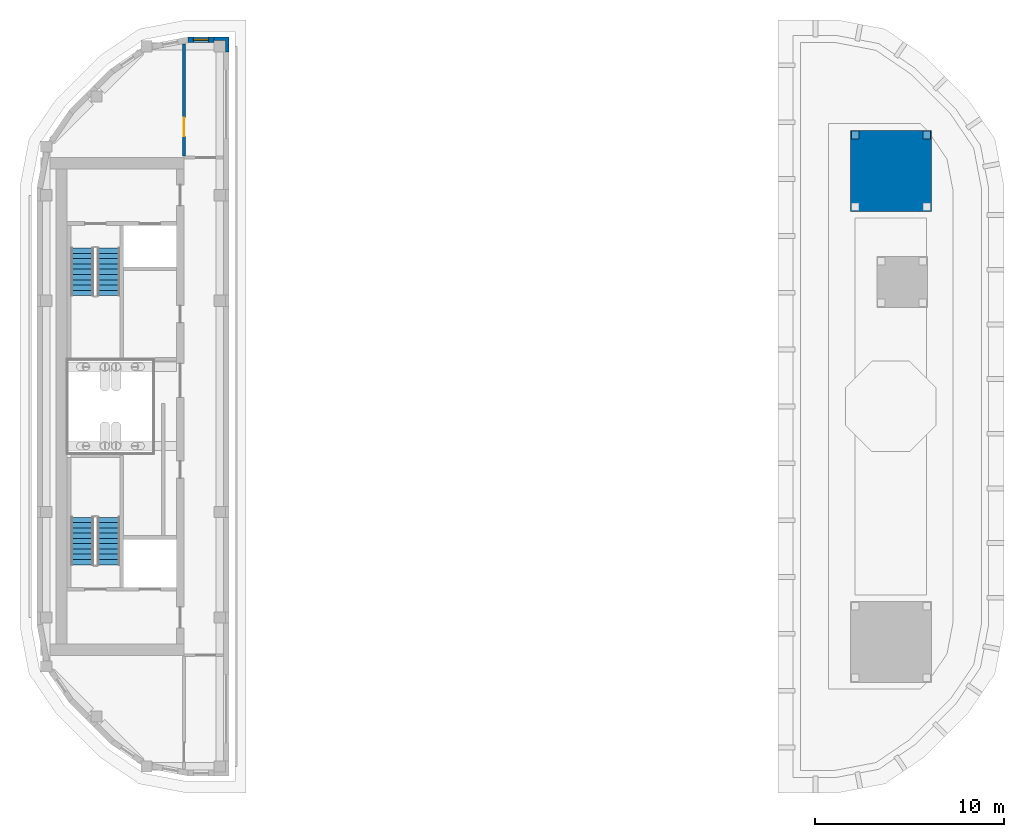
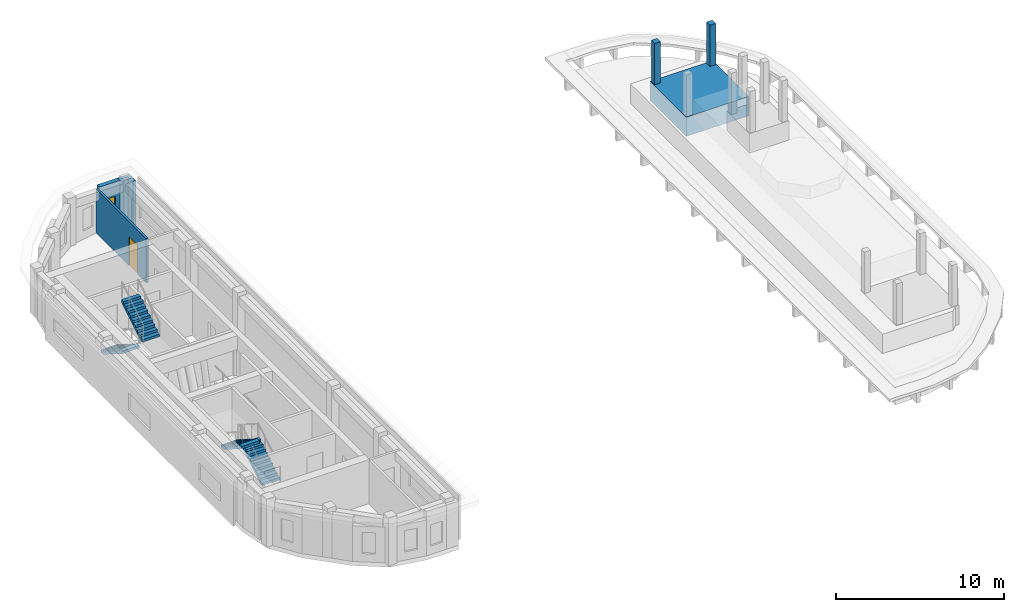
# One storey, part 4 of 8: 6 walls, 4 stair flights, 1 door, 1 window, 2 openings, 2 elements without a shape of their own.
"""IFC4 building model written with IfcOpenShell, lengths in metres."""

from ifc_helpers import new_model, si_unit, direction, frame, frame_2d, origin, place, context, subcontext, project, spatial, polyline, rectangle, outline, extrude, material, layer, layer_set, type_object, element, fill, aggregate, save


model = new_model("IFC4")

# Units and contexts
model_context = context("Model", 3, precision=1e-05, world=origin(), true_north=direction((0.0, 1.0)))
body_context = subcontext(model_context, "Body", "Model", "MODEL_VIEW")
ifc_project = project(units=[si_unit("LENGTHUNIT", "METRE"), si_unit("AREAUNIT", "SQUARE_METRE"), si_unit("VOLUMEUNIT", "CUBIC_METRE"), si_unit("PLANEANGLEUNIT", "RADIAN"), si_unit("MASSUNIT", "GRAM", prefix="KILO")], contexts=[model_context])

# Site, building, storey
site_placement = place(None, origin())
site = spatial("IfcSite", under=ifc_project, at=site_placement, CompositionType="ELEMENT")
building_placement = place(site_placement, origin())
building = spatial("IfcBuilding", under=site, at=building_placement, Name="Kiln Ring Residences", CompositionType="ELEMENT")
storey_placement = place(building_placement, frame((0.0, 0.0, 317.39990234375)))
storey = spatial("IfcBuildingStorey", under=building, at=storey_placement, Name="L82 Crown", CompositionType="ELEMENT", Elevation=317.39990234375)

# Walls
ifc_material_1 = material(Name="Brick masonry, dark clay brick", Category="masonry")
ifc_layer_1 = layer(ifc_material_1, 0.39990234375)
ifc_layer_set_1 = layer_set([ifc_layer_1], Name="CHHATRI POST 400")
wall_type_1 = type_object("IfcWallType", Name="CHHATRI POST 400", PredefinedType="SOLIDWALL", material=ifc_layer_set_1)
placement_1 = place(storey_placement, frame((0.0, 0.0, 1.400146484375)))
element("IfcWall", 1, at=placement_1, inside=storey, type_object=wall_type_1, Name="CHHATRI POST L81 Crown", PredefinedType="SOLIDWALL", context=body_context, shape_type="SweptSolid", body=[
    extrude(outline(polyline([(22.199951171875, 14.199951171875), (22.199951171875, 14.60009765625), (21.800048828125, 14.60009765625), (21.800048828125, 14.199951171875), (22.199951171875, 14.199951171875)])), origin(), (0.0, 0.0, 1.0), 3.0),
])
element("IfcWall", 2, at=placement_1, inside=storey, type_object=wall_type_1, Name="CHHATRI POST L81 Crown", PredefinedType="SOLIDWALL", context=body_context, shape_type="SweptSolid", body=[
    extrude(outline(polyline([(18.39990234375, 14.199951171875), (18.39990234375, 14.60009765625), (18.0, 14.60009765625), (18.0, 14.199951171875), (18.39990234375, 14.199951171875)])), origin(), (0.0, 0.0, 1.0), 3.0),
])

# Wall, opening, window
ifc_material_2 = material(Name="Brick masonry, dark clay brick", Category="masonry")
ifc_layer_2 = layer(ifc_material_2, 0.300048828125)
ifc_layer_set_2 = layer_set([ifc_layer_2], Name="EW-300 BRICK WALL")
wall_type_2 = type_object("IfcWallType", Name="EW-300 BRICK WALL", PredefinedType="SOLIDWALL", material=ifc_layer_set_2)
wall_3_placement = place(storey_placement, frame((-15.800048828125, 19.449951171875, 0.0), z_axis=(0.0, 0.0, 1.0), x_axis=(-1.0, 0.0, 0.0)))
wall_3 = element("IfcWall", 3, at=wall_3_placement, inside=storey, type_object=wall_type_2, Name="Facade wall L82 Crown 8", PredefinedType="SOLIDWALL", context=body_context, shape_type="SweptSolid", body=[
    extrude(rectangle(XDim=1.39990234375, YDim=0.300048828125, at=frame_2d((0.699951171875, 0.0))), origin(), (0.0, 0.0, 1.0), 3.2001953125),
])
opening_1_placement = place(wall_3_placement, frame((0.300048828125, 0.0, 0.60009765625)))
opening_1 = element("IfcOpeningElement", 4, at=opening_1_placement, cuts=wall_3, Name="Opening W5", PredefinedType="OPENING", context=body_context, shape_type="SweptSolid", body=[
    extrude(rectangle(XDim=0.800048828125, YDim=1.550048828125, at=frame_2d((0.39990234375, 0.77490234375))), frame((0.0, 0.159912109375, 0.0), z_axis=(0.0, -1.0, 0.0), x_axis=(1.0, 0.0, 0.0)), (0.0, 0.0, 1.0), 0.320068359375),
])
ifc_material_3 = material(Name="Aluminium frame with double glazing", Category="aluminium")
window_type = type_object("IfcWindowType", Name="WINDOW 800 x 1550", PartitioningType="SINGLE_PANEL", PredefinedType="WINDOW", material=ifc_material_3)
window_placement = place(opening_1_placement, origin())
window = element("IfcWindow", 5, at=window_placement, inside=storey, type_object=window_type, Name="Window L82 Crown 5", OverallHeight=1.550048828125, OverallWidth=0.800048828125, PartitioningType="SINGLE_PANEL", PredefinedType="WINDOW", context=body_context, shape_type="SweptSolid", body=[
    extrude(rectangle(XDim=0.800048828125, YDim=1.550048828125, at=frame_2d((0.39990234375, 0.77490234375))), frame((0.0, 0.030029296875, 0.0), z_axis=(0.0, -1.0, 0.0), x_axis=(1.0, 0.0, 0.0)), (0.0, 0.0, 1.0), 0.06005859375),
])
fill(opening_1, window)

# Walls
placement_2 = place(storey_placement, origin())
element("IfcWall", 6, at=placement_2, inside=storey, type_object=wall_type_2, Name="Corner wall L82 Crown 7", PredefinedType="SOLIDWALL", context=body_context, shape_type="SweptSolid", body=[
    extrude(outline(polyline([(-15.0, 18.800048828125), (-15.0, 19.60009765625), (-15.800048828125, 19.60009765625), (-15.800048828125, 19.39990234375), (-15.199951171875, 19.39990234375), (-15.199951171875, 18.800048828125), (-15.0, 18.800048828125)])), origin(), (0.0, 0.0, 1.0), 3.2001953125),
])
ifc_material_4 = material(Name="Brick masonry, dark clay brick", Category="masonry")
ifc_layer_3 = layer(ifc_material_4, 0.5)
ifc_layer_set_3 = layer_set([ifc_layer_3], Name="KIOSK PLINTH 500")
wall_type_3 = type_object("IfcWallType", Name="KIOSK PLINTH 500", PredefinedType="SOLIDWALL", material=ifc_layer_set_3)
element("IfcWall", 7, at=placement_2, inside=storey, type_object=wall_type_3, Name="KIOSK PLINTH L81 Crown", PredefinedType="SOLIDWALL", context=body_context, shape_type="SweptSolid", body=[
    extrude(outline(polyline([(22.25, 10.35009765625), (22.25, 14.64990234375), (17.949951171875, 14.64990234375), (17.949951171875, 10.35009765625), (22.25, 10.35009765625)])), origin(), (0.0, 0.0, 1.0), 1.400146484375),
])

# Wall, opening, door
ifc_material_5 = material(Name="Brick masonry partition", Category="masonry")
ifc_layer_4 = layer(ifc_material_5, 0.14990234375)
ifc_layer_set_4 = layer_set([ifc_layer_4], Name="PARTITION-150-ei60")
wall_type_4 = type_object("IfcWallType", Name="PARTITION-150-ei60", PredefinedType="PARTITIONING", material=ifc_layer_set_4)
wall_6_placement = place(storey_placement, frame((-17.39990234375, 13.27490234375, 0.0), z_axis=(0.0, 0.0, 1.0), x_axis=(0.0, 1.0, 0.0)))
wall_6 = element("IfcWall", 8, at=wall_6_placement, inside=storey, type_object=wall_type_4, Name="Partition 003", PredefinedType="PARTITIONING", context=body_context, shape_type="SweptSolid", body=[
    extrude(rectangle(XDim=5.96142578125, YDim=0.14990234375, at=frame_2d((2.980712890625, 0.0))), origin(), (0.0, 0.0, 1.0), 3.2001953125),
])
opening_2_placement = place(wall_6_placement, frame((1.044921875, 0.0, 0.0)))
opening_2 = element("IfcOpeningElement", 9, at=opening_2_placement, cuts=wall_6, Name="Opening L82-D002", PredefinedType="OPENING", context=body_context, shape_type="SweptSolid", body=[
    extrude(rectangle(XDim=1.0, YDim=2.10009765625, at=frame_2d((0.5, 1.050048828125))), frame((0.0, 0.0849609375, 0.0), z_axis=(0.0, -1.0, 0.0), x_axis=(1.0, 0.0, 0.0)), (0.0, 0.0, 1.0), 0.169921875),
])
ifc_material_6 = material(Name="Steel faced fire door leaf", Category="steel")
door_type = type_object("IfcDoorType", Name="FLAT-DOOR-1000-FR", OperationType="SINGLE_SWING_LEFT", PredefinedType="DOOR", material=ifc_material_6)
door_placement = place(opening_2_placement, origin())
door = element("IfcDoor", 10, at=door_placement, inside=storey, type_object=door_type, Name="Door L82-D002", OperationType="SINGLE_SWING_RIGHT", OverallHeight=2.10009765625, OverallWidth=1.0, PredefinedType="DOOR", context=body_context, shape_type="SweptSolid", body=[
    extrude(rectangle(XDim=1.0, YDim=2.10009765625, at=frame_2d((0.5, 1.050048828125))), frame((0.0, 0.02490234375, 0.0), z_axis=(0.0, -1.0, 0.0), x_axis=(1.0, 0.0, 0.0)), (0.0, 0.0, 1.0), 0.050048828125),
])
fill(opening_2, door)

# Stair, stair flights
ifc_material_7 = material(Name="Concrete C40/50", Category="concrete")
stair_type = type_object("IfcStairType", Name="CORE-STAIR", PredefinedType="HALF_TURN_STAIR", material=ifc_material_7)
stair_1 = element("IfcStair", 11, at=placement_2, inside=storey, type_object=stair_type, Name="L82 Crown stair W-STN", PredefinedType="HALF_TURN_STAIR")
ifc_material_8 = material(Name="Concrete C40/50", Category="concrete")
stair_flight_type = type_object("IfcStairFlightType", Name="CORE-STAIR-FLIGHT", PredefinedType="STRAIGHT", material=ifc_material_8)
stair_flight_1_placement = place(storey_placement, frame((-22.800048828125, 8.39990234375, 0.0), z_axis=(0.0, 0.0, 1.0), x_axis=(0.0, -1.0, 0.0)))
stair_flight_1 = element("IfcStairFlight", 12, at=stair_flight_1_placement, type_object=stair_flight_type, Name="W-STN flight 1", NumberOfRisers=10, NumberOfTreads=9, PredefinedType="STRAIGHT", RiserHeight=0.175, TreadLength=0.28, context=body_context, shape_type="SweptSolid", body=[
    extrude(outline(polyline([(0.0, 0.0), (0.0, 0.175048828125), (0.280029296875, 0.175048828125), (0.280029296875, 0.35009765625), (0.56005859375, 0.35009765625), (0.56005859375, 0.52490234375), (0.840087890625, 0.52490234375), (0.840087890625, 0.699951171875), (1.1201171875, 0.699951171875), (1.1201171875, 0.875), (1.39990234375, 0.875), (1.39990234375, 1.050048828125), (1.679931640625, 1.050048828125), (1.679931640625, 1.22509765625), (1.9599609375, 1.22509765625), (1.9599609375, 1.39990234375), (2.239990234375, 1.39990234375), (2.239990234375, 1.574951171875), (2.52001953125, 1.574951171875), (2.52001953125, 1.75), (2.52001953125, 1.398193359375), (0.28271484375, 0.0), (0.0, 0.0)])), frame((0.0, 0.60009765625, 0.0), z_axis=(0.0, -1.0, 0.0), x_axis=(1.0, 0.0, 0.0)), (0.0, 0.0, 1.0), 1.199951171875),
])
stair_flight_2_placement = place(storey_placement, frame((-21.39990234375, 5.8798828125, 1.75), z_axis=(0.0, 0.0, 1.0), x_axis=(0.0, 1.0, 0.0)))
stair_flight_2 = element("IfcStairFlight", 13, at=stair_flight_2_placement, type_object=stair_flight_type, Name="W-STN flight 2", NumberOfRisers=10, NumberOfTreads=9, PredefinedType="STRAIGHT", RiserHeight=0.175, TreadLength=0.28, context=body_context, shape_type="SweptSolid", body=[
    extrude(outline(polyline([(0.0, 0.0), (0.0, 0.175048828125), (0.280029296875, 0.175048828125), (0.280029296875, 0.35009765625), (0.56005859375, 0.35009765625), (0.56005859375, 0.52490234375), (0.840087890625, 0.52490234375), (0.840087890625, 0.699951171875), (1.1201171875, 0.699951171875), (1.1201171875, 0.875), (1.39990234375, 0.875), (1.39990234375, 1.050048828125), (1.679931640625, 1.050048828125), (1.679931640625, 1.22509765625), (1.9599609375, 1.22509765625), (1.9599609375, 1.39990234375), (2.239990234375, 1.39990234375), (2.239990234375, 1.574951171875), (2.52001953125, 1.574951171875), (2.52001953125, 1.75), (2.52001953125, 1.398193359375), (0.28271484375, 0.0), (0.0, 0.0)])), frame((0.0, 0.60009765625, 0.0), z_axis=(0.0, -1.0, 0.0), x_axis=(1.0, 0.0, 0.0)), (0.0, 0.0, 1.0), 1.199951171875),
])
aggregate(stair_1, [stair_flight_1, stair_flight_2])

stair_2 = element("IfcStair", 14, at=placement_2, inside=storey, type_object=stair_type, Name="L82 Crown stair W-STS", PredefinedType="HALF_TURN_STAIR")
stair_flight_3_placement = place(storey_placement, frame((-21.39990234375, -8.39990234375, 0.0), z_axis=(0.0, 0.0, 1.0), x_axis=(0.0, 1.0, 0.0)))
stair_flight_3 = element("IfcStairFlight", 15, at=stair_flight_3_placement, type_object=stair_flight_type, Name="W-STS flight 1", NumberOfRisers=10, NumberOfTreads=9, PredefinedType="STRAIGHT", RiserHeight=0.175, TreadLength=0.28, context=body_context, shape_type="SweptSolid", body=[
    extrude(outline(polyline([(0.0, 0.0), (0.0, 0.175048828125), (0.280029296875, 0.175048828125), (0.280029296875, 0.35009765625), (0.56005859375, 0.35009765625), (0.56005859375, 0.52490234375), (0.840087890625, 0.52490234375), (0.840087890625, 0.699951171875), (1.1201171875, 0.699951171875), (1.1201171875, 0.875), (1.39990234375, 0.875), (1.39990234375, 1.050048828125), (1.679931640625, 1.050048828125), (1.679931640625, 1.22509765625), (1.9599609375, 1.22509765625), (1.9599609375, 1.39990234375), (2.239990234375, 1.39990234375), (2.239990234375, 1.574951171875), (2.52001953125, 1.574951171875), (2.52001953125, 1.75), (2.52001953125, 1.398193359375), (0.28271484375, 0.0), (0.0, 0.0)])), frame((0.0, 0.60009765625, 0.0), z_axis=(0.0, -1.0, 0.0), x_axis=(1.0, 0.0, 0.0)), (0.0, 0.0, 1.0), 1.199951171875),
])
stair_flight_4_placement = place(storey_placement, frame((-22.800048828125, -5.8798828125, 1.75), z_axis=(0.0, 0.0, 1.0), x_axis=(0.0, -1.0, 0.0)))
stair_flight_4 = element("IfcStairFlight", 16, at=stair_flight_4_placement, type_object=stair_flight_type, Name="W-STS flight 2", NumberOfRisers=10, NumberOfTreads=9, PredefinedType="STRAIGHT", RiserHeight=0.175, TreadLength=0.28, context=body_context, shape_type="SweptSolid", body=[
    extrude(outline(polyline([(0.0, 0.0), (0.0, 0.175048828125), (0.280029296875, 0.175048828125), (0.280029296875, 0.35009765625), (0.56005859375, 0.35009765625), (0.56005859375, 0.52490234375), (0.840087890625, 0.52490234375), (0.840087890625, 0.699951171875), (1.1201171875, 0.699951171875), (1.1201171875, 0.875), (1.39990234375, 0.875), (1.39990234375, 1.050048828125), (1.679931640625, 1.050048828125), (1.679931640625, 1.22509765625), (1.9599609375, 1.22509765625), (1.9599609375, 1.39990234375), (2.239990234375, 1.39990234375), (2.239990234375, 1.574951171875), (2.52001953125, 1.574951171875), (2.52001953125, 1.75), (2.52001953125, 1.398193359375), (0.28271484375, 0.0), (0.0, 0.0)])), frame((0.0, 0.60009765625, 0.0), z_axis=(0.0, -1.0, 0.0), x_axis=(1.0, 0.0, 0.0)), (0.0, 0.0, 1.0), 1.199951171875),
])
aggregate(stair_2, [stair_flight_3, stair_flight_4])

save(model, "model.ifc")
